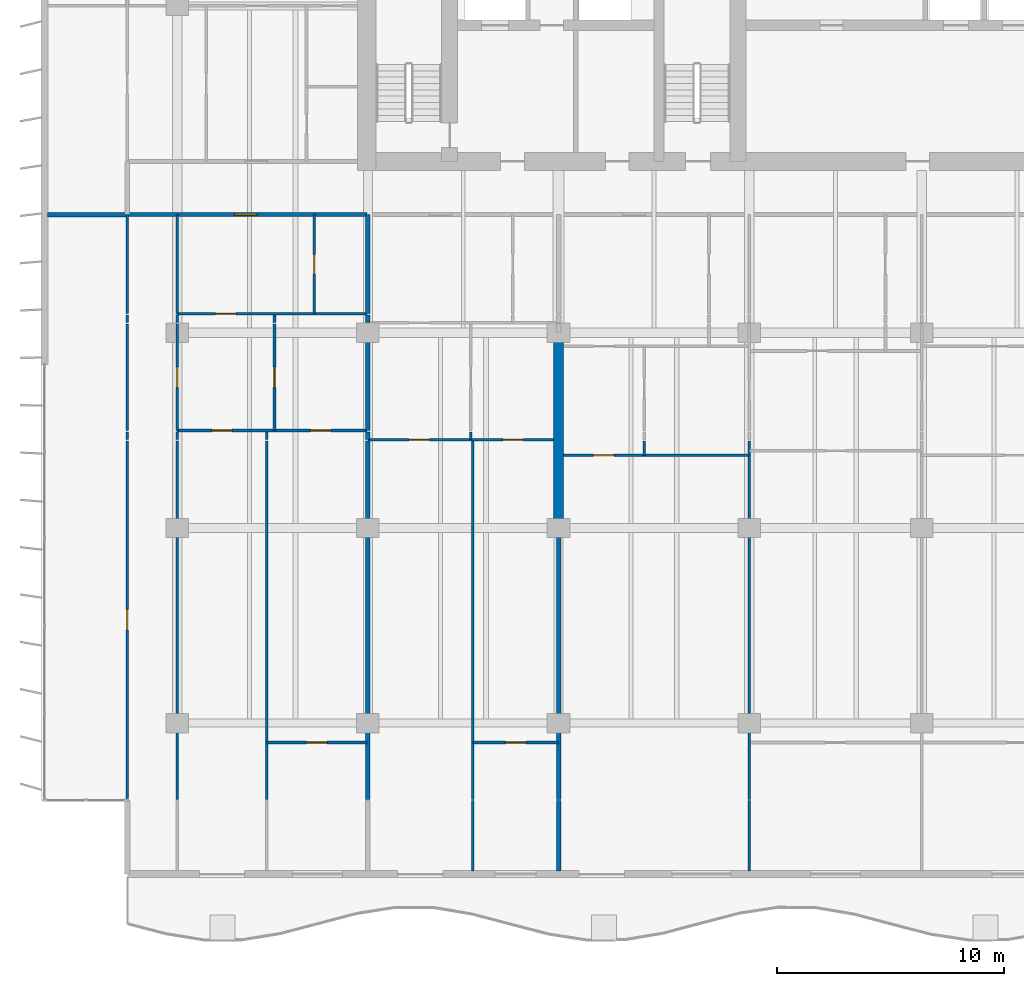
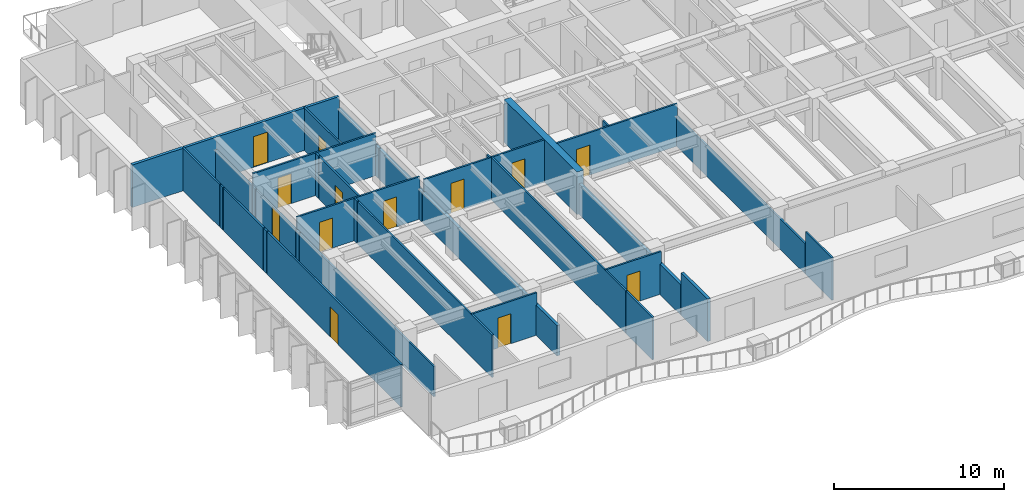
# One storey, part 6 of 16: 37 walls, 13 doors, 13 openings.
"""IFC4 building model written with IfcOpenShell, lengths in metres."""

from ifc_helpers import new_model, si_unit, direction, frame, frame_2d, origin, place, context, subcontext, project, spatial, rectangle, extrude, material, layer, layer_set, type_object, element, fill, save


model = new_model("IFC4")

# Units and contexts
model_context = context("Model", 3, precision=1e-05, world=origin(), true_north=direction((0.0, 1.0)))
body_context = subcontext(model_context, "Body", "Model", "MODEL_VIEW")
ifc_project = project(units=[si_unit("LENGTHUNIT", "METRE"), si_unit("AREAUNIT", "SQUARE_METRE"), si_unit("VOLUMEUNIT", "CUBIC_METRE"), si_unit("PLANEANGLEUNIT", "RADIAN"), si_unit("MASSUNIT", "GRAM", prefix="KILO")], contexts=[model_context])

# Site, building, storey
site_placement = place(None, origin())
site = spatial("IfcSite", under=ifc_project, at=site_placement, CompositionType="ELEMENT")
building_placement = place(site_placement, origin())
building = spatial("IfcBuilding", under=site, at=building_placement, Name="Caelmar Bay Residences", CompositionType="ELEMENT")
storey_placement = place(building_placement, frame((0.0, 0.0, 102.60009765625)))
storey = spatial("IfcBuildingStorey", under=building, at=storey_placement, Name="L27", CompositionType="ELEMENT", Elevation=102.60009765625)

# Wall
ifc_material_1 = material(Name="Concrete f'c 55 MPa (8,000 psi)", Category="concrete")
ifc_layer_1 = layer(ifc_material_1, 0.449951171875)
ifc_layer_set_1 = layer_set([ifc_layer_1], Name="Concrete f'c 55 MPa (8,000 psi)")
wall_type_1 = type_object("IfcWallType", Name="SW-XSLB-450", PredefinedType="SHEAR", material=ifc_layer_set_1)
wall_1_placement = place(storey_placement, frame((26.699951171875, 20.800048828125, 0.0), z_axis=(0.0, 0.0, 1.0), x_axis=(0.0, 1.0, 0.0)))
element("IfcWall", 1, at=wall_1_placement, inside=storey, type_object=wall_type_1, Name="L27 Transverse Cross-Slab Shear Wall W5", PredefinedType="SHEAR", context=body_context, shape_type="SweptSolid", body=[
    extrude(rectangle(XDim=8.599853515625, YDim=0.449951171875, at=frame_2d((4.2998046875, 0.0))), origin(), (0.0, 0.0, 1.0), 3.0498046875),
])

# Wall, opening, door
ifc_material_2 = material(Name="Double-stud acoustic fire-rated gypsum partition 180 mm")
ifc_layer_2 = layer(ifc_material_2, 0.179931640625)
ifc_layer_set_2 = layer_set([ifc_layer_2], Name="Double-stud acoustic fire-rated gypsum partition 180 mm")
wall_type_2 = type_object("IfcWallType", Name="W-COR-200", PredefinedType="PARTITIONING", material=ifc_layer_set_2)
wall_2_placement = place(storey_placement, frame((7.705078125, 34.60009765625, 0.0), z_axis=(0.0, 0.0, 1.0), x_axis=(1.0, 0.0, 0.0)))
wall_2 = element("IfcWall", 2, at=wall_2_placement, inside=storey, type_object=wall_type_2, Name="L27 Partition Wall H138", PredefinedType="PARTITIONING", context=body_context, shape_type="SweptSolid", body=[
    extrude(rectangle(XDim=10.544921875, YDim=0.179931640625, at=frame_2d((5.2724609375, 0.0))), origin(), (0.0, 0.0, 1.0), 3.0498046875),
])
opening_1_placement = place(wall_2_placement, frame((4.714111328125, 0.0, 0.0)))
opening_1 = element("IfcOpeningElement", 3, at=opening_1_placement, cuts=wall_2, Name="Opening D-L27-121", PredefinedType="OPENING", context=body_context, shape_type="SweptSolid", body=[
    extrude(rectangle(XDim=1.0, YDim=2.199951171875, at=frame_2d((0.5, 1.10009765625))), frame((0.0, 0.099853515625, 0.0), z_axis=(0.0, -1.0, 0.0), x_axis=(1.0, 0.0, 0.0)), (0.0, 0.0, 1.0), 0.199951171875),
])
ifc_material_3 = material(Name="Fire-rated steel and walnut architectural door assembly", Category="steel")
ifc_layer_3 = layer(ifc_material_3, 0.050048828125)
ifc_layer_set_3 = layer_set([ifc_layer_3], Name="Fire-rated steel and walnut architectural door assembly")
door_type_1 = type_object("IfcDoorType", Name="D-UNIT-1000", OperationType="NOTDEFINED", PredefinedType="DOOR", material=ifc_layer_set_3)
door_1_placement = place(opening_1_placement, origin())
door_1 = element("IfcDoor", 4, at=door_1_placement, inside=storey, type_object=door_type_1, Name="L27 Residence 01 Apartment Hall Door", OperationType="SINGLE_SWING_RIGHT", OverallHeight=2.199951171875, OverallWidth=1.0, PredefinedType="DOOR", context=body_context, shape_type="SweptSolid", body=[
    extrude(rectangle(XDim=1.0, YDim=2.199951171875, at=frame_2d((0.5, 1.10009765625))), frame((0.0, 0.02490234375, 0.0), z_axis=(0.0, -1.0, 0.0), x_axis=(1.0, 0.0, 0.0)), (0.0, 0.0, 1.0), 0.050048828125),
])
fill(opening_1, door_1)

ifc_material_4 = material(Name="Acoustic metal-stud gypsum partition 120 mm")
ifc_layer_4 = layer(ifc_material_4, 0.1201171875)
ifc_layer_set_4 = layer_set([ifc_layer_4], Name="Acoustic metal-stud gypsum partition 120 mm")
wall_type_3 = type_object("IfcWallType", Name="W-PRT-120", PredefinedType="PARTITIONING", material=ifc_layer_set_4)
wall_3_placement = place(storey_placement, frame((7.699951171875, 8.885009765625, 0.0), z_axis=(0.0, 0.0, 1.0), x_axis=(0.0, 1.0, 0.0)))
wall_3 = element("IfcWall", 5, at=wall_3_placement, inside=storey, type_object=wall_type_3, Name="L27 Partition Wall V001", PredefinedType="PARTITIONING", context=body_context, shape_type="SweptSolid", body=[
    extrude(rectangle(XDim=15.744873046875, YDim=0.1201171875, at=frame_2d((7.87255859375, 0.0))), origin(), (0.0, 0.0, 1.0), 3.0498046875),
])
opening_2_placement = place(wall_3_placement, frame((7.422607421875, 0.0, 0.0)))
opening_2 = element("IfcOpeningElement", 6, at=opening_2_placement, cuts=wall_3, Name="Opening D-L27-166", PredefinedType="OPENING", context=body_context, shape_type="SweptSolid", body=[
    extrude(rectangle(XDim=0.89990234375, YDim=2.14990234375, at=frame_2d((0.449951171875, 1.074951171875))), frame((0.0, 0.070068359375, 0.0), z_axis=(0.0, -1.0, 0.0), x_axis=(1.0, 0.0, 0.0)), (0.0, 0.0, 1.0), 0.14013671875),
])
ifc_material_5 = material(Name="Solid walnut timber interior door leaf and frame", Category="wood")
ifc_layer_5 = layer(ifc_material_5, 0.050048828125)
ifc_layer_set_5 = layer_set([ifc_layer_5], Name="Solid walnut timber interior door leaf and frame")
door_type_2 = type_object("IfcDoorType", Name="D-ROOM-900", OperationType="NOTDEFINED", PredefinedType="DOOR", material=ifc_layer_set_5)
door_2_placement = place(opening_2_placement, origin())
door_2 = element("IfcDoor", 7, at=door_2_placement, inside=storey, type_object=door_type_2, Name="L27 Residence 01 Penthouse West Salon Door", OperationType="SINGLE_SWING_LEFT", OverallHeight=2.14990234375, OverallWidth=0.89990234375, PredefinedType="DOOR", context=body_context, shape_type="SweptSolid", body=[
    extrude(rectangle(XDim=0.89990234375, YDim=2.14990234375, at=frame_2d((0.449951171875, 1.074951171875))), frame((0.0, 0.02490234375, 0.0), z_axis=(0.0, -1.0, 0.0), x_axis=(1.0, 0.0, 0.0)), (0.0, 0.0, 1.0), 0.050048828125),
])
fill(opening_2, door_2)

# Walls
wall_4_placement = place(storey_placement, frame((7.699951171875, 24.68994140625, 0.0), z_axis=(0.0, 0.0, 1.0), x_axis=(0.0, 1.0, 0.0)))
element("IfcWall", 8, at=wall_4_placement, inside=storey, type_object=wall_type_3, Name="L27 Partition Wall V002", PredefinedType="PARTITIONING", context=body_context, shape_type="SweptSolid", body=[
    extrude(rectangle(XDim=0.340087890625, YDim=0.1201171875, at=frame_2d((0.169921875, 0.0))), origin(), (0.0, 0.0, 1.0), 3.0498046875),
])
wall_5_placement = place(storey_placement, frame((7.699951171875, 25.090087890625, 0.0), z_axis=(0.0, 0.0, 1.0), x_axis=(0.0, 1.0, 0.0)))
element("IfcWall", 9, at=wall_5_placement, inside=storey, type_object=wall_type_3, Name="L27 Partition Wall V003", PredefinedType="PARTITIONING", context=body_context, shape_type="SweptSolid", body=[
    extrude(rectangle(XDim=4.68994140625, YDim=0.1201171875, at=frame_2d((2.344970703125, 0.0))), origin(), (0.0, 0.0, 1.0), 3.0498046875),
])
wall_6_placement = place(storey_placement, frame((7.699951171875, 29.840087890625, 0.0), z_axis=(0.0, 0.0, 1.0), x_axis=(0.0, 1.0, 0.0)))
element("IfcWall", 10, at=wall_6_placement, inside=storey, type_object=wall_type_3, Name="L27 Partition Wall V004", PredefinedType="PARTITIONING", context=body_context, shape_type="SweptSolid", body=[
    extrude(rectangle(XDim=0.33984375, YDim=0.1201171875, at=frame_2d((0.169921875, 0.0))), origin(), (0.0, 0.0, 1.0), 3.0498046875),
])
wall_7_placement = place(storey_placement, frame((7.699951171875, 30.239990234375, 0.0), z_axis=(0.0, 0.0, 1.0), x_axis=(0.0, 1.0, 0.0)))
element("IfcWall", 11, at=wall_7_placement, inside=storey, type_object=wall_type_3, Name="L27 Partition Wall V005", PredefinedType="PARTITIONING", context=body_context, shape_type="SweptSolid", body=[
    extrude(rectangle(XDim=4.360107421875, YDim=0.1201171875, at=frame_2d((2.18017578125, 0.0))), origin(), (0.0, 0.0, 1.0), 3.0498046875),
])
wall_8_placement = place(storey_placement, frame((9.89990234375, 8.840087890625, 0.0), z_axis=(0.0, 0.0, 1.0), x_axis=(0.0, 1.0, 0.0)))
element("IfcWall", 12, at=wall_8_placement, inside=storey, type_object=wall_type_3, Name="L27 Partition Wall V010", PredefinedType="PARTITIONING", context=body_context, shape_type="SweptSolid", body=[
    extrude(rectangle(XDim=15.789794921875, YDim=0.1201171875, at=frame_2d((7.89501953125, 0.0))), origin(), (0.0, 0.0, 1.0), 2.173828125),
])
wall_9_placement = place(storey_placement, frame((9.89990234375, 24.68994140625, 0.0), z_axis=(0.0, 0.0, 1.0), x_axis=(0.0, 1.0, 0.0)))
element("IfcWall", 13, at=wall_9_placement, inside=storey, type_object=wall_type_3, Name="L27 Partition Wall V011", PredefinedType="PARTITIONING", context=body_context, shape_type="SweptSolid", body=[
    extrude(rectangle(XDim=0.340087890625, YDim=0.1201171875, at=frame_2d((0.169921875, 0.0))), origin(), (0.0, 0.0, 1.0), 2.173828125),
])

# Wall, opening, door
wall_10_placement = place(storey_placement, frame((9.89990234375, 25.090087890625, 0.0), z_axis=(0.0, 0.0, 1.0), x_axis=(0.0, 1.0, 0.0)))
wall_10 = element("IfcWall", 14, at=wall_10_placement, inside=storey, type_object=wall_type_3, Name="L27 Partition Wall V012", PredefinedType="PARTITIONING", context=body_context, shape_type="SweptSolid", body=[
    extrude(rectangle(XDim=4.68994140625, YDim=0.1201171875, at=frame_2d((2.344970703125, 0.0))), origin(), (0.0, 0.0, 1.0), 2.173828125),
])
opening_3_placement = place(wall_10_placement, frame((1.89501953125, 0.0, 0.0)))
opening_3 = element("IfcOpeningElement", 15, at=opening_3_placement, cuts=wall_10, Name="Opening D-L27-128", PredefinedType="OPENING", context=body_context, shape_type="SweptSolid", body=[
    extrude(rectangle(XDim=0.89990234375, YDim=2.1240234375, at=frame_2d((0.449951171875, 1.06201171875))), frame((0.0, 0.070068359375, 0.0), z_axis=(0.0, -1.0, 0.0), x_axis=(1.0, 0.0, 0.0)), (0.0, 0.0, 1.0), 0.14013671875),
])
door_3_placement = place(opening_3_placement, origin())
door_3 = element("IfcDoor", 16, at=door_3_placement, inside=storey, type_object=door_type_2, Name="L27 Residence 01 West Apartment Hall Door", OperationType="SINGLE_SWING_LEFT", OverallHeight=2.1240234375, OverallWidth=0.89990234375, PredefinedType="DOOR", context=body_context, shape_type="SweptSolid", body=[
    extrude(rectangle(XDim=0.89990234375, YDim=2.1240234375, at=frame_2d((0.449951171875, 1.06201171875))), frame((0.0, 0.02490234375, 0.0), z_axis=(0.0, -1.0, 0.0), x_axis=(1.0, 0.0, 0.0)), (0.0, 0.0, 1.0), 0.050048828125),
])
fill(opening_3, door_3)

# Walls
wall_11_placement = place(storey_placement, frame((9.89990234375, 29.840087890625, 0.0), z_axis=(0.0, 0.0, 1.0), x_axis=(0.0, 1.0, 0.0)))
element("IfcWall", 17, at=wall_11_placement, inside=storey, type_object=wall_type_3, Name="L27 Partition Wall V013", PredefinedType="PARTITIONING", context=body_context, shape_type="SweptSolid", body=[
    extrude(rectangle(XDim=0.33984375, YDim=0.1201171875, at=frame_2d((0.169921875, 0.0))), origin(), (0.0, 0.0, 1.0), 2.173828125),
])
wall_12_placement = place(storey_placement, frame((9.89990234375, 30.239990234375, 0.0), z_axis=(0.0, 0.0, 1.0), x_axis=(0.0, 1.0, 0.0)))
element("IfcWall", 18, at=wall_12_placement, inside=storey, type_object=wall_type_3, Name="L27 Partition Wall V014", PredefinedType="PARTITIONING", context=body_context, shape_type="SweptSolid", body=[
    extrude(rectangle(XDim=4.360107421875, YDim=0.1201171875, at=frame_2d((2.18017578125, 0.0))), origin(), (0.0, 0.0, 1.0), 2.173828125),
])
wall_13_placement = place(storey_placement, frame((13.847900390625, 8.840087890625, 0.0), z_axis=(0.0, 0.0, 1.0), x_axis=(0.0, 1.0, 0.0)))
element("IfcWall", 19, at=wall_13_placement, inside=storey, type_object=wall_type_3, Name="L27 Partition Wall V017", PredefinedType="PARTITIONING", context=body_context, shape_type="SweptSolid", body=[
    extrude(rectangle(XDim=15.789794921875, YDim=0.1201171875, at=frame_2d((7.89501953125, 0.0))), origin(), (0.0, 0.0, 1.0), 3.0498046875),
])
wall_14_placement = place(storey_placement, frame((13.847900390625, 24.68994140625, 0.0), z_axis=(0.0, 0.0, 1.0), x_axis=(0.0, 1.0, 0.0)))
element("IfcWall", 20, at=wall_14_placement, inside=storey, type_object=wall_type_3, Name="L27 Partition Wall V018", PredefinedType="PARTITIONING", context=body_context, shape_type="SweptSolid", body=[
    extrude(rectangle(XDim=0.340087890625, YDim=0.1201171875, at=frame_2d((0.169921875, 0.0))), origin(), (0.0, 0.0, 1.0), 3.0498046875),
])

# Wall, opening, door
wall_15_placement = place(storey_placement, frame((14.18603515625, 25.090087890625, 0.0), z_axis=(0.0, 0.0, 1.0), x_axis=(0.0, 1.0, 0.0)))
wall_15 = element("IfcWall", 21, at=wall_15_placement, inside=storey, type_object=wall_type_3, Name="L27 Partition Wall V019", PredefinedType="PARTITIONING", context=body_context, shape_type="SweptSolid", body=[
    extrude(rectangle(XDim=4.68994140625, YDim=0.1201171875, at=frame_2d((2.344970703125, 0.0))), origin(), (0.0, 0.0, 1.0), 3.0498046875),
])
opening_4_placement = place(wall_15_placement, frame((1.89501953125, 0.0, 0.0)))
opening_4 = element("IfcOpeningElement", 22, at=opening_4_placement, cuts=wall_15, Name="Opening D-L27-124", PredefinedType="OPENING", context=body_context, shape_type="SweptSolid", body=[
    extrude(rectangle(XDim=0.89990234375, YDim=2.14990234375, at=frame_2d((0.449951171875, 1.074951171875))), frame((0.0, 0.070068359375, 0.0), z_axis=(0.0, -1.0, 0.0), x_axis=(1.0, 0.0, 0.0)), (0.0, 0.0, 1.0), 0.14013671875),
])
door_4_placement = place(opening_4_placement, origin())
door_4 = element("IfcDoor", 23, at=door_4_placement, inside=storey, type_object=door_type_2, Name="L27 Residence 01 Formal Dining Room Door", OperationType="SINGLE_SWING_LEFT", OverallHeight=2.14990234375, OverallWidth=0.89990234375, PredefinedType="DOOR", context=body_context, shape_type="SweptSolid", body=[
    extrude(rectangle(XDim=0.89990234375, YDim=2.14990234375, at=frame_2d((0.449951171875, 1.074951171875))), frame((0.0, 0.02490234375, 0.0), z_axis=(0.0, -1.0, 0.0), x_axis=(1.0, 0.0, 0.0)), (0.0, 0.0, 1.0), 0.050048828125),
])
fill(opening_4, door_4)

# Wall
wall_16_placement = place(storey_placement, frame((14.18603515625, 29.840087890625, 0.0), z_axis=(0.0, 0.0, 1.0), x_axis=(0.0, 1.0, 0.0)))
element("IfcWall", 24, at=wall_16_placement, inside=storey, type_object=wall_type_3, Name="L27 Partition Wall V020", PredefinedType="PARTITIONING", context=body_context, shape_type="SweptSolid", body=[
    extrude(rectangle(XDim=0.33984375, YDim=0.1201171875, at=frame_2d((0.169921875, 0.0))), origin(), (0.0, 0.0, 1.0), 3.0498046875),
])

# Wall, opening, door
wall_17_placement = place(storey_placement, frame((15.93798828125, 30.239990234375, 0.0), z_axis=(0.0, 0.0, 1.0), x_axis=(0.0, 1.0, 0.0)))
wall_17 = element("IfcWall", 25, at=wall_17_placement, inside=storey, type_object=wall_type_3, Name="L27 Partition Wall V022", PredefinedType="PARTITIONING", context=body_context, shape_type="SweptSolid", body=[
    extrude(rectangle(XDim=4.360107421875, YDim=0.1201171875, at=frame_2d((2.18017578125, 0.0))), origin(), (0.0, 0.0, 1.0), 3.0498046875),
])
opening_5_placement = place(wall_17_placement, frame((1.7548828125, 0.0, 0.0)))
opening_5 = element("IfcOpeningElement", 26, at=opening_5_placement, cuts=wall_17, Name="Opening D-L27-122", PredefinedType="OPENING", context=body_context, shape_type="SweptSolid", body=[
    extrude(rectangle(XDim=0.85009765625, YDim=2.10009765625, at=frame_2d((0.425048828125, 1.050048828125))), frame((0.0, 0.070068359375, 0.0), z_axis=(0.0, -1.0, 0.0), x_axis=(1.0, 0.0, 0.0)), (0.0, 0.0, 1.0), 0.14013671875),
])
ifc_layer_6 = layer(ifc_material_5, 0.050048828125)
ifc_layer_set_6 = layer_set([ifc_layer_6], Name="Solid walnut timber interior door leaf and frame")
door_type_3 = type_object("IfcDoorType", Name="D-BATH-850", OperationType="NOTDEFINED", PredefinedType="DOOR", material=ifc_layer_set_6)
door_5_placement = place(opening_5_placement, origin())
door_5 = element("IfcDoor", 27, at=door_5_placement, inside=storey, type_object=door_type_3, Name="L27 Residence 01 Bathroom Door", OperationType="SINGLE_SWING_LEFT", OverallHeight=2.10009765625, OverallWidth=0.85009765625, PredefinedType="DOOR", context=body_context, shape_type="SweptSolid", body=[
    extrude(rectangle(XDim=0.85009765625, YDim=2.10009765625, at=frame_2d((0.425048828125, 1.050048828125))), frame((0.0, 0.02490234375, 0.0), z_axis=(0.0, -1.0, 0.0), x_axis=(1.0, 0.0, 0.0)), (0.0, 0.0, 1.0), 0.050048828125),
])
fill(opening_5, door_5)

# Walls
wall_18_placement = place(storey_placement, frame((22.8359375, 24.68994140625, 0.0), z_axis=(0.0, 0.0, 1.0), x_axis=(0.0, 1.0, 0.0)))
element("IfcWall", 28, at=wall_18_placement, inside=storey, type_object=wall_type_3, Name="L27 Partition Wall V030", PredefinedType="PARTITIONING", context=body_context, shape_type="SweptSolid", body=[
    extrude(rectangle(XDim=0.340087890625, YDim=0.1201171875, at=frame_2d((0.169921875, 0.0))), origin(), (0.0, 0.0, 1.0), 3.0498046875),
])
wall_19_placement = place(storey_placement, frame((22.919921875, 5.695068359375, 0.0), z_axis=(0.0, 0.0, 1.0), x_axis=(0.0, 1.0, 0.0)))
element("IfcWall", 29, at=wall_19_placement, inside=storey, type_object=wall_type_3, Name="L27 Partition Wall V032", PredefinedType="PARTITIONING", context=body_context, shape_type="SweptSolid", body=[
    extrude(rectangle(XDim=3.10498046875, YDim=0.1201171875, at=frame_2d((1.552490234375, 0.0))), origin(), (0.0, 0.0, 1.0), 3.0498046875),
])
wall_20_placement = place(storey_placement, frame((22.919921875, 8.840087890625, 0.0), z_axis=(0.0, 0.0, 1.0), x_axis=(0.0, 1.0, 0.0)))
element("IfcWall", 30, at=wall_20_placement, inside=storey, type_object=wall_type_3, Name="L27 Partition Wall V033", PredefinedType="PARTITIONING", context=body_context, shape_type="SweptSolid", body=[
    extrude(rectangle(XDim=15.789794921875, YDim=0.1201171875, at=frame_2d((7.89501953125, 0.0))), origin(), (0.0, 0.0, 1.0), 3.0498046875),
])
wall_21_placement = place(storey_placement, frame((30.47998046875, 24.0, 0.0), z_axis=(0.0, 0.0, 1.0), x_axis=(0.0, 1.0, 0.0)))
element("IfcWall", 31, at=wall_21_placement, inside=storey, type_object=wall_type_3, Name="L27 Partition Wall V044", PredefinedType="PARTITIONING", context=body_context, shape_type="SweptSolid", body=[
    extrude(rectangle(XDim=0.6298828125, YDim=0.1201171875, at=frame_2d((0.31494140625, 0.0))), origin(), (0.0, 0.0, 1.0), 3.0498046875),
])
wall_22_placement = place(storey_placement, frame((35.10009765625, 5.695068359375, 0.0), z_axis=(0.0, 0.0, 1.0), x_axis=(0.0, 1.0, 0.0)))
element("IfcWall", 32, at=wall_22_placement, inside=storey, type_object=wall_type_3, Name="L27 Partition Wall V051", PredefinedType="PARTITIONING", context=body_context, shape_type="SweptSolid", body=[
    extrude(rectangle(XDim=3.10498046875, YDim=0.1201171875, at=frame_2d((1.552490234375, 0.0))), origin(), (0.0, 0.0, 1.0), 3.0498046875),
])
wall_23_placement = place(storey_placement, frame((35.10009765625, 8.840087890625, 0.0), z_axis=(0.0, 0.0, 1.0), x_axis=(0.0, 1.0, 0.0)))
element("IfcWall", 33, at=wall_23_placement, inside=storey, type_object=wall_type_3, Name="L27 Partition Wall V052", PredefinedType="PARTITIONING", context=body_context, shape_type="SweptSolid", body=[
    extrude(rectangle(XDim=15.789794921875, YDim=0.1201171875, at=frame_2d((7.89501953125, 0.0))), origin(), (0.0, 0.0, 1.0), 2.173828125),
])

# Wall, opening, door
wall_24_placement = place(storey_placement, frame((13.847900390625, 11.35009765625, 0.0), z_axis=(0.0, 0.0, 1.0), x_axis=(1.0, 0.0, 0.0)))
wall_24 = element("IfcWall", 34, at=wall_24_placement, inside=storey, type_object=wall_type_3, Name="L27 Partition Wall H118", PredefinedType="PARTITIONING", context=body_context, shape_type="SweptSolid", body=[
    extrude(rectangle(XDim=4.402099609375, YDim=0.1201171875, at=frame_2d((2.201171875, 0.0))), origin(), (0.0, 0.0, 1.0), 3.0498046875),
])
opening_6_placement = place(wall_24_placement, frame((1.7509765625, 0.0, 0.0)))
opening_6 = element("IfcOpeningElement", 35, at=opening_6_placement, cuts=wall_24, Name="Opening D-L27-127", PredefinedType="OPENING", context=body_context, shape_type="SweptSolid", body=[
    extrude(rectangle(XDim=0.89990234375, YDim=2.14990234375, at=frame_2d((0.449951171875, 1.074951171875))), frame((0.0, 0.070068359375, 0.0), z_axis=(0.0, -1.0, 0.0), x_axis=(1.0, 0.0, 0.0)), (0.0, 0.0, 1.0), 0.14013671875),
])
door_6_placement = place(opening_6_placement, origin())
door_6 = element("IfcDoor", 36, at=door_6_placement, inside=storey, type_object=door_type_2, Name="L27 Residence 01 Primary Bedroom Door", OperationType="SINGLE_SWING_RIGHT", OverallHeight=2.14990234375, OverallWidth=0.89990234375, PredefinedType="DOOR", context=body_context, shape_type="SweptSolid", body=[
    extrude(rectangle(XDim=0.89990234375, YDim=2.14990234375, at=frame_2d((0.449951171875, 1.074951171875))), frame((0.0, 0.02490234375, 0.0), z_axis=(0.0, -1.0, 0.0), x_axis=(1.0, 0.0, 0.0)), (0.0, 0.0, 1.0), 0.050048828125),
])
fill(opening_6, door_6)

wall_25_placement = place(storey_placement, frame((22.919921875, 11.35009765625, 0.0), z_axis=(0.0, 0.0, 1.0), x_axis=(1.0, 0.0, 0.0)))
wall_25 = element("IfcWall", 37, at=wall_25_placement, inside=storey, type_object=wall_type_3, Name="L27 Partition Wall H119", PredefinedType="PARTITIONING", context=body_context, shape_type="SweptSolid", body=[
    extrude(rectangle(XDim=3.780029296875, YDim=0.1201171875, at=frame_2d((1.89013671875, 0.0))), origin(), (0.0, 0.0, 1.0), 3.0498046875),
])
opening_7_placement = place(wall_25_placement, frame((1.43994140625, 0.0, 0.0)))
opening_7 = element("IfcOpeningElement", 38, at=opening_7_placement, cuts=wall_25, Name="Opening D-L27-135", PredefinedType="OPENING", context=body_context, shape_type="SweptSolid", body=[
    extrude(rectangle(XDim=0.89990234375, YDim=2.14990234375, at=frame_2d((0.449951171875, 1.074951171875))), frame((0.0, 0.070068359375, 0.0), z_axis=(0.0, -1.0, 0.0), x_axis=(1.0, 0.0, 0.0)), (0.0, 0.0, 1.0), 0.14013671875),
])
door_7_placement = place(opening_7_placement, origin())
door_7 = element("IfcDoor", 39, at=door_7_placement, inside=storey, type_object=door_type_2, Name="L27 Residence 02 Primary Bedroom Door", OperationType="SINGLE_SWING_RIGHT", OverallHeight=2.14990234375, OverallWidth=0.89990234375, PredefinedType="DOOR", context=body_context, shape_type="SweptSolid", body=[
    extrude(rectangle(XDim=0.89990234375, YDim=2.14990234375, at=frame_2d((0.449951171875, 1.074951171875))), frame((0.0, 0.02490234375, 0.0), z_axis=(0.0, -1.0, 0.0), x_axis=(1.0, 0.0, 0.0)), (0.0, 0.0, 1.0), 0.050048828125),
])
fill(opening_7, door_7)

wall_26_placement = place(storey_placement, frame((26.919921875, 24.0, 0.0), z_axis=(0.0, 0.0, 1.0), x_axis=(1.0, 0.0, 0.0)))
wall_26 = element("IfcWall", 40, at=wall_26_placement, inside=storey, type_object=wall_type_3, Name="L27 Partition Wall H123", PredefinedType="PARTITIONING", context=body_context, shape_type="SweptSolid", body=[
    extrude(rectangle(XDim=8.18017578125, YDim=0.1201171875, at=frame_2d((4.090087890625, 0.0))), origin(), (0.0, 0.0, 1.0), 3.0498046875),
])
opening_8_placement = place(wall_26_placement, frame((1.330078125, 0.0, 0.0)))
opening_8 = element("IfcOpeningElement", 41, at=opening_8_placement, cuts=wall_26, Name="Opening D-L27-140", PredefinedType="OPENING", context=body_context, shape_type="SweptSolid", body=[
    extrude(rectangle(XDim=0.89990234375, YDim=2.14990234375, at=frame_2d((0.449951171875, 1.074951171875))), frame((0.0, 0.070068359375, 0.0), z_axis=(0.0, -1.0, 0.0), x_axis=(1.0, 0.0, 0.0)), (0.0, 0.0, 1.0), 0.14013671875),
])
door_8_placement = place(opening_8_placement, origin())
door_8 = element("IfcDoor", 42, at=door_8_placement, inside=storey, type_object=door_type_2, Name="L27 Residence 03 Penthouse Living Salon Door", OperationType="SINGLE_SWING_LEFT", OverallHeight=2.14990234375, OverallWidth=0.89990234375, PredefinedType="DOOR", context=body_context, shape_type="SweptSolid", body=[
    extrude(rectangle(XDim=0.89990234375, YDim=2.14990234375, at=frame_2d((0.449951171875, 1.074951171875))), frame((0.0, 0.02490234375, 0.0), z_axis=(0.0, -1.0, 0.0), x_axis=(1.0, 0.0, 0.0)), (0.0, 0.0, 1.0), 0.050048828125),
])
fill(opening_8, door_8)

# Wall, openings, doors
wall_27_placement = place(storey_placement, frame((18.300048828125, 24.68994140625, 0.0), z_axis=(0.0, 0.0, 1.0), x_axis=(1.0, 0.0, 0.0)))
wall_27 = element("IfcWall", 43, at=wall_27_placement, inside=storey, type_object=wall_type_3, Name="L27 Partition Wall H127", PredefinedType="PARTITIONING", context=body_context, shape_type="SweptSolid", body=[
    extrude(rectangle(XDim=8.179931640625, YDim=0.1201171875, at=frame_2d((4.08984375, 0.0))), origin(), (0.0, 0.0, 1.0), 3.0498046875),
])
opening_9_placement = place(wall_27_placement, frame((1.818115234375, 0.0, 0.0)))
opening_9 = element("IfcOpeningElement", 44, at=opening_9_placement, cuts=wall_27, Name="Opening D-L27-133", PredefinedType="OPENING", context=body_context, shape_type="SweptSolid", body=[
    extrude(rectangle(XDim=0.89990234375, YDim=2.14990234375, at=frame_2d((0.449951171875, 1.074951171875))), frame((0.0, 0.070068359375, 0.0), z_axis=(0.0, -1.0, 0.0), x_axis=(1.0, 0.0, 0.0)), (0.0, 0.0, 1.0), 0.14013671875),
])
opening_10_placement = place(wall_27_placement, frame((5.949951171875, 0.0, 0.0)))
opening_10 = element("IfcOpeningElement", 45, at=opening_10_placement, cuts=wall_27, Name="Opening D-L27-134", PredefinedType="OPENING", context=body_context, shape_type="SweptSolid", body=[
    extrude(rectangle(XDim=0.89990234375, YDim=2.14990234375, at=frame_2d((0.449951171875, 1.074951171875))), frame((0.0, 0.070068359375, 0.0), z_axis=(0.0, -1.0, 0.0), x_axis=(1.0, 0.0, 0.0)), (0.0, 0.0, 1.0), 0.14013671875),
])
door_9_placement = place(opening_9_placement, origin())
door_9 = element("IfcDoor", 46, at=door_9_placement, inside=storey, type_object=door_type_2, Name="L27 Residence 02 Penthouse Living Salon Door", OperationType="SINGLE_SWING_RIGHT", OverallHeight=2.14990234375, OverallWidth=0.89990234375, PredefinedType="DOOR", context=body_context, shape_type="SweptSolid", body=[
    extrude(rectangle(XDim=0.89990234375, YDim=2.14990234375, at=frame_2d((0.449951171875, 1.074951171875))), frame((0.0, 0.02490234375, 0.0), z_axis=(0.0, -1.0, 0.0), x_axis=(1.0, 0.0, 0.0)), (0.0, 0.0, 1.0), 0.050048828125),
])
fill(opening_9, door_9)
door_10_placement = place(opening_10_placement, origin())
door_10 = element("IfcDoor", 47, at=door_10_placement, inside=storey, type_object=door_type_2, Name="L27 Residence 02 Penthouse Sitting Room Door", OperationType="SINGLE_SWING_LEFT", OverallHeight=2.14990234375, OverallWidth=0.89990234375, PredefinedType="DOOR", context=body_context, shape_type="SweptSolid", body=[
    extrude(rectangle(XDim=0.89990234375, YDim=2.14990234375, at=frame_2d((0.449951171875, 1.074951171875))), frame((0.0, 0.02490234375, 0.0), z_axis=(0.0, -1.0, 0.0), x_axis=(1.0, 0.0, 0.0)), (0.0, 0.0, 1.0), 0.050048828125),
])
fill(opening_10, door_10)

wall_28_placement = place(storey_placement, frame((9.89990234375, 25.090087890625, 0.0), z_axis=(0.0, 0.0, 1.0), x_axis=(1.0, 0.0, 0.0)))
wall_28 = element("IfcWall", 48, at=wall_28_placement, inside=storey, type_object=wall_type_3, Name="L27 Partition Wall H129", PredefinedType="PARTITIONING", context=body_context, shape_type="SweptSolid", body=[
    extrude(rectangle(XDim=8.35009765625, YDim=0.1201171875, at=frame_2d((4.175048828125, 0.0))), origin(), (0.0, 0.0, 1.0), 3.0498046875),
])
opening_11_placement = place(wall_28_placement, frame((1.52392578125, 0.0, 0.0)))
opening_11 = element("IfcOpeningElement", 49, at=opening_11_placement, cuts=wall_28, Name="Opening D-L27-125", PredefinedType="OPENING", context=body_context, shape_type="SweptSolid", body=[
    extrude(rectangle(XDim=0.89990234375, YDim=2.14990234375, at=frame_2d((0.449951171875, 1.074951171875))), frame((0.0, 0.070068359375, 0.0), z_axis=(0.0, -1.0, 0.0), x_axis=(1.0, 0.0, 0.0)), (0.0, 0.0, 1.0), 0.14013671875),
])
opening_12_placement = place(wall_28_placement, frame((5.867919921875, 0.0, 0.0)))
opening_12 = element("IfcOpeningElement", 50, at=opening_12_placement, cuts=wall_28, Name="Opening D-L27-126", PredefinedType="OPENING", context=body_context, shape_type="SweptSolid", body=[
    extrude(rectangle(XDim=0.89990234375, YDim=2.14990234375, at=frame_2d((0.449951171875, 1.074951171875))), frame((0.0, 0.070068359375, 0.0), z_axis=(0.0, -1.0, 0.0), x_axis=(1.0, 0.0, 0.0)), (0.0, 0.0, 1.0), 0.14013671875),
])
door_11_placement = place(opening_11_placement, origin())
door_11 = element("IfcDoor", 51, at=door_11_placement, inside=storey, type_object=door_type_2, Name="L27 Residence 01 Penthouse Living Salon Door", OperationType="SINGLE_SWING_RIGHT", OverallHeight=2.14990234375, OverallWidth=0.89990234375, PredefinedType="DOOR", context=body_context, shape_type="SweptSolid", body=[
    extrude(rectangle(XDim=0.89990234375, YDim=2.14990234375, at=frame_2d((0.449951171875, 1.074951171875))), frame((0.0, 0.02490234375, 0.0), z_axis=(0.0, -1.0, 0.0), x_axis=(1.0, 0.0, 0.0)), (0.0, 0.0, 1.0), 0.050048828125),
])
fill(opening_11, door_11)
door_12_placement = place(opening_12_placement, origin())
door_12 = element("IfcDoor", 52, at=door_12_placement, inside=storey, type_object=door_type_2, Name="L27 Residence 01 Penthouse Sitting Room Door", OperationType="SINGLE_SWING_LEFT", OverallHeight=2.14990234375, OverallWidth=0.89990234375, PredefinedType="DOOR", context=body_context, shape_type="SweptSolid", body=[
    extrude(rectangle(XDim=0.89990234375, YDim=2.14990234375, at=frame_2d((0.449951171875, 1.074951171875))), frame((0.0, 0.02490234375, 0.0), z_axis=(0.0, -1.0, 0.0), x_axis=(1.0, 0.0, 0.0)), (0.0, 0.0, 1.0), 0.050048828125),
])
fill(opening_12, door_12)

# Wall, opening, door
wall_29_placement = place(storey_placement, frame((9.89990234375, 30.239990234375, 0.0), z_axis=(0.0, 0.0, 1.0), x_axis=(1.0, 0.0, 0.0)))
wall_29 = element("IfcWall", 53, at=wall_29_placement, inside=storey, type_object=wall_type_3, Name="L27 Partition Wall H136", PredefinedType="PARTITIONING", context=body_context, shape_type="SweptSolid", body=[
    extrude(rectangle(XDim=8.35009765625, YDim=0.1201171875, at=frame_2d((4.175048828125, 0.0))), origin(), (0.0, 0.0, 1.0), 3.0498046875),
])
opening_13_placement = place(wall_29_placement, frame((1.693115234375, 0.0, 0.0)))
opening_13 = element("IfcOpeningElement", 54, at=opening_13_placement, cuts=wall_29, Name="Opening D-L27-123", PredefinedType="OPENING", context=body_context, shape_type="SweptSolid", body=[
    extrude(rectangle(XDim=0.89990234375, YDim=2.14990234375, at=frame_2d((0.449951171875, 1.074951171875))), frame((0.0, 0.070068359375, 0.0), z_axis=(0.0, -1.0, 0.0), x_axis=(1.0, 0.0, 0.0)), (0.0, 0.0, 1.0), 0.14013671875),
])
door_13_placement = place(opening_13_placement, origin())
door_13 = element("IfcDoor", 55, at=door_13_placement, inside=storey, type_object=door_type_2, Name="L27 Residence 01 Kitchen Door", OperationType="SINGLE_SWING_RIGHT", OverallHeight=2.14990234375, OverallWidth=0.89990234375, PredefinedType="DOOR", context=body_context, shape_type="SweptSolid", body=[
    extrude(rectangle(XDim=0.89990234375, YDim=2.14990234375, at=frame_2d((0.449951171875, 1.074951171875))), frame((0.0, 0.02490234375, 0.0), z_axis=(0.0, -1.0, 0.0), x_axis=(1.0, 0.0, 0.0)), (0.0, 0.0, 1.0), 0.050048828125),
])
fill(opening_13, door_13)

# Walls
ifc_material_6 = material(Name="Acoustic twin-stud fire-rated inter-tenancy partition 200 mm")
ifc_layer_7 = layer(ifc_material_6, 0.199951171875)
ifc_layer_set_7 = layer_set([ifc_layer_7], Name="Acoustic twin-stud fire-rated inter-tenancy partition 200 mm")
wall_type_4 = type_object("IfcWallType", Name="W-PTY-200", PredefinedType="PARTITIONING", material=ifc_layer_set_7)
wall_30_placement = place(storey_placement, frame((18.300048828125, 8.840087890625, 0.0), z_axis=(0.0, 0.0, 1.0), x_axis=(0.0, 1.0, 0.0)))
element("IfcWall", 56, at=wall_30_placement, inside=storey, type_object=wall_type_4, Name="L27 Partition Wall V024", PredefinedType="PARTITIONING", context=body_context, shape_type="SweptSolid", body=[
    extrude(rectangle(XDim=15.789794921875, YDim=0.199951171875, at=frame_2d((7.89501953125, 0.0))), origin(), (0.0, 0.0, 1.0), 2.173828125),
])
wall_31_placement = place(storey_placement, frame((18.300048828125, 24.68994140625, 0.0), z_axis=(0.0, 0.0, 1.0), x_axis=(0.0, 1.0, 0.0)))
element("IfcWall", 57, at=wall_31_placement, inside=storey, type_object=wall_type_4, Name="L27 Partition Wall V025", PredefinedType="PARTITIONING", context=body_context, shape_type="SweptSolid", body=[
    extrude(rectangle(XDim=0.340087890625, YDim=0.199951171875, at=frame_2d((0.169921875, 0.0))), origin(), (0.0, 0.0, 1.0), 2.173828125),
])
wall_32_placement = place(storey_placement, frame((18.300048828125, 25.090087890625, 0.0), z_axis=(0.0, 0.0, 1.0), x_axis=(0.0, 1.0, 0.0)))
element("IfcWall", 58, at=wall_32_placement, inside=storey, type_object=wall_type_4, Name="L27 Partition Wall V026", PredefinedType="PARTITIONING", context=body_context, shape_type="SweptSolid", body=[
    extrude(rectangle(XDim=4.68994140625, YDim=0.199951171875, at=frame_2d((2.344970703125, 0.0))), origin(), (0.0, 0.0, 1.0), 2.173828125),
])
wall_33_placement = place(storey_placement, frame((18.300048828125, 29.840087890625, 0.0), z_axis=(0.0, 0.0, 1.0), x_axis=(0.0, 1.0, 0.0)))
element("IfcWall", 59, at=wall_33_placement, inside=storey, type_object=wall_type_4, Name="L27 Partition Wall V027", PredefinedType="PARTITIONING", context=body_context, shape_type="SweptSolid", body=[
    extrude(rectangle(XDim=0.33984375, YDim=0.199951171875, at=frame_2d((0.169921875, 0.0))), origin(), (0.0, 0.0, 1.0), 2.173828125),
])
wall_34_placement = place(storey_placement, frame((18.300048828125, 30.239990234375, 0.0), z_axis=(0.0, 0.0, 1.0), x_axis=(0.0, 1.0, 0.0)))
element("IfcWall", 60, at=wall_34_placement, inside=storey, type_object=wall_type_4, Name="L27 Partition Wall V028", PredefinedType="PARTITIONING", context=body_context, shape_type="SweptSolid", body=[
    extrude(rectangle(XDim=4.360107421875, YDim=0.199951171875, at=frame_2d((2.18017578125, 0.0))), origin(), (0.0, 0.0, 1.0), 2.173828125),
])
wall_35_placement = place(storey_placement, frame((26.699951171875, 5.695068359375, 0.0), z_axis=(0.0, 0.0, 1.0), x_axis=(0.0, 1.0, 0.0)))
element("IfcWall", 61, at=wall_35_placement, inside=storey, type_object=wall_type_4, Name="L27 Partition Wall V037", PredefinedType="PARTITIONING", context=body_context, shape_type="SweptSolid", body=[
    extrude(rectangle(XDim=3.10498046875, YDim=0.199951171875, at=frame_2d((1.552490234375, 0.0))), origin(), (0.0, 0.0, 1.0), 3.0498046875),
])
wall_36_placement = place(storey_placement, frame((26.699951171875, 8.840087890625, 0.0), z_axis=(0.0, 0.0, 1.0), x_axis=(0.0, 1.0, 0.0)))
element("IfcWall", 62, at=wall_36_placement, inside=storey, type_object=wall_type_4, Name="L27 Partition Wall V038", PredefinedType="PARTITIONING", context=body_context, shape_type="SweptSolid", body=[
    extrude(rectangle(XDim=11.954833984375, YDim=0.199951171875, at=frame_2d((5.9775390625, 0.0))), origin(), (0.0, 0.0, 1.0), 2.173828125),
])
wall_37_placement = place(storey_placement, frame((4.195068359375, 34.60009765625, 0.0), z_axis=(0.0, 0.0, 1.0), x_axis=(1.0, 0.0, 0.0)))
element("IfcWall", 63, at=wall_37_placement, inside=storey, type_object=wall_type_4, Name="L27 Partition Wall H137", PredefinedType="PARTITIONING", context=body_context, shape_type="SweptSolid", body=[
    extrude(rectangle(XDim=3.5048828125, YDim=0.199951171875, at=frame_2d((1.75244140625, 0.0))), origin(), (0.0, 0.0, 1.0), 3.0498046875),
])

save(model, "model.ifc")
